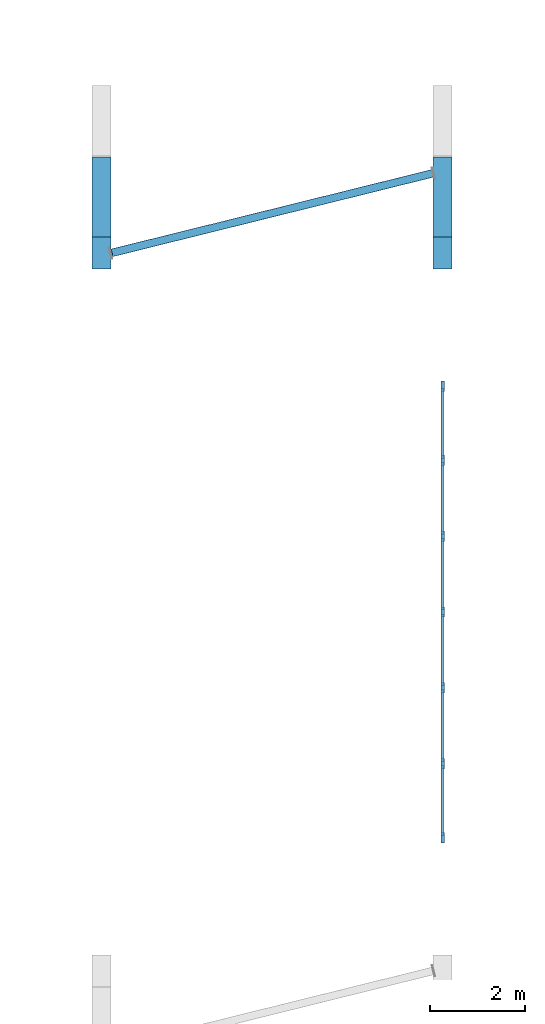
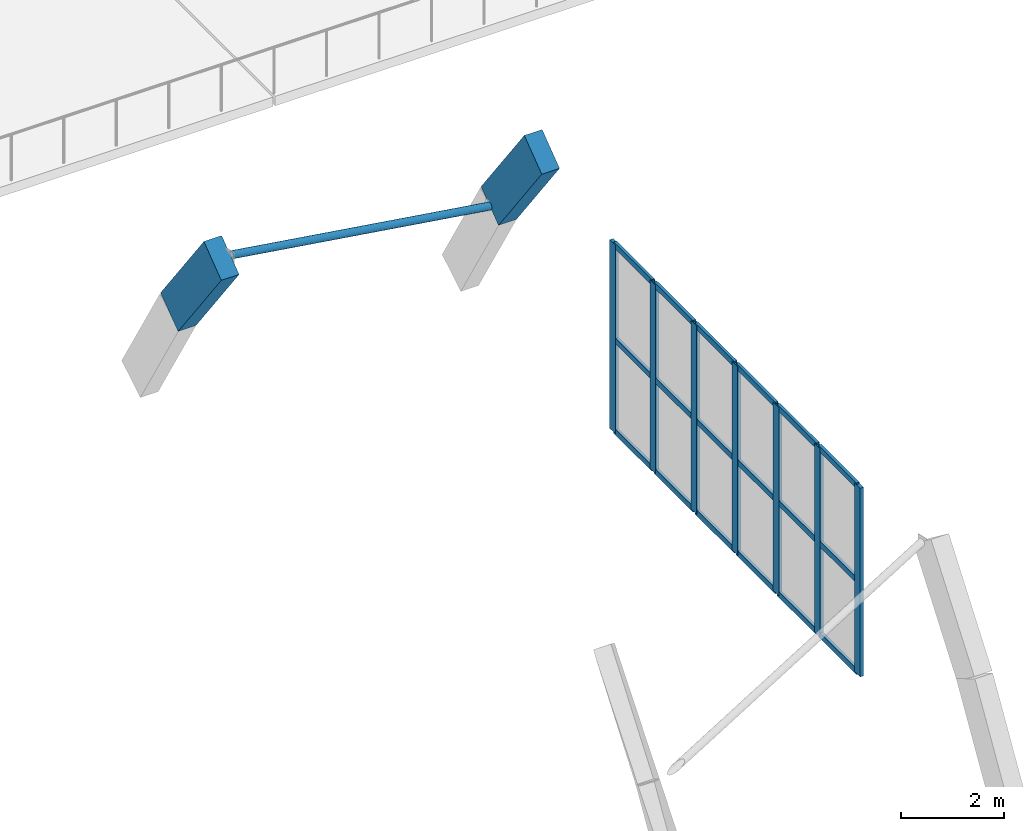
# One storey, part 25 of 85: 26 members, 2 beams, 1 element without a shape of its own.
"""IFC4 building model written with IfcOpenShell, lengths in metres."""

from ifc_helpers import new_model, si_unit, direction, frame, origin, origin_2d, place, context, subcontext, project, spatial, rectangle, hollow_circle, extrude, material, layer, layer_set, material_profile, profile_set, type_object, element, aggregate, save


model = new_model("IFC4")

# Units and contexts
model_context = context("Model", 3, precision=1e-05, world=origin(), true_north=direction((0.0, 1.0)))
body_context = subcontext(model_context, "Body", "Model", "MODEL_VIEW")
ifc_project = project(units=[si_unit("LENGTHUNIT", "METRE"), si_unit("AREAUNIT", "SQUARE_METRE"), si_unit("VOLUMEUNIT", "CUBIC_METRE"), si_unit("PLANEANGLEUNIT", "RADIAN"), si_unit("MASSUNIT", "GRAM", prefix="KILO")], contexts=[model_context])

# Site, building, storey
site_placement = place(None, origin())
site = spatial("IfcSite", under=ifc_project, at=site_placement, CompositionType="ELEMENT")
building_placement = place(site_placement, origin())
building = spatial("IfcBuilding", under=site, at=building_placement, Name="Ochrevale Crest", CompositionType="ELEMENT")
storey_placement = place(building_placement, frame((0.0, 0.0, 4.5)))
storey = spatial("IfcBuildingStorey", under=building, at=storey_placement, Name="L01", CompositionType="ELEMENT", Elevation=4.5)

# Beams
ifc_material_1 = material(Name="Precast concrete C50/60", Category="concrete")
ifc_material_profile_1 = material_profile(ifc_material_1, rectangle(XDim=0.39990234375, YDim=0.85009765625, at=origin_2d()), Name="PC 400x850")
ifc_profile_set_1 = profile_set([ifc_material_profile_1], Name="Precast concrete C50/60")
beam_type = type_object("IfcBeamType", Name="BM-AR400x850", PredefinedType="BEAM", material=ifc_profile_set_1)
for number, where, z_axis, x_axis, name in (
    (1, (100.800048828125, 61.57373046875, 5.012939453125), (0.0, 0.60146279032, -0.798900814783), (-1.0, 0.0, 0.0), "Precast vault arch rib AR-07 chord 9"),
    (2, (108.0, 61.57373046875, 5.012939453125), (0.0, 0.60146279032, -0.798900814783), (-1.0, 0.0, 0.0), "Precast vault arch rib AR-08 chord 9"),
):
    element("IfcBeam", number, at=place(storey_placement, frame(where, z_axis=z_axis, x_axis=x_axis)), inside=storey, type_object=beam_type, Name=name, PredefinedType="BEAM", context=body_context, shape_type="SweptSolid", body=[
        extrude(rectangle(XDim=0.39990234375, YDim=0.85009765625, at=origin_2d()), origin(), (0.0, 0.0, 1.0), 2.802001953125),
    ])

# Curtain wall, members
ifc_material_2 = material(Name="Anodised aluminium 6063-T5", Category="aluminium")
ifc_layer = layer(ifc_material_2, 0.14990234375)
ifc_layer_set = layer_set([ifc_layer], Name="Anodised aluminium 6063-T5")
curtain_wall_type = type_object("IfcCurtainWallType", Name="CW-HALL-960x430", PredefinedType="NOTDEFINED", material=ifc_layer_set)
curtain_wall_placement = place(storey_placement, origin())
curtain_wall = element("IfcCurtainWall", 3, at=curtain_wall_placement, inside=storey, type_object=curtain_wall_type, Name="Community Hall E barrel-vault glazed tympanum curtain wall", PredefinedType="NOTDEFINED")
ifc_material_profile_2 = material_profile(ifc_material_2, rectangle(XDim=0.074951171875, YDim=0.219970703125, at=origin_2d()), Name="ALU 75x220")
ifc_profile_set_2 = profile_set([ifc_material_profile_2], Name="Anodised aluminium 6063-T5")
member_type_1 = type_object("IfcMemberType", Name="CW-MUL-75x220", PredefinedType="MULLION", material=ifc_profile_set_2)
member_1_placement = place(storey_placement, frame((108.0, 49.237548828125, 0.10009765625), z_axis=(0.0, 0.0, 1.0), x_axis=(-1.0, 0.0, 0.0)))
member_1 = element("IfcMember", 4, at=member_1_placement, type_object=member_type_1, Name="CW21 mullion 1", PredefinedType="MULLION", context=body_context, shape_type="SweptSolid", body=[
    extrude(rectangle(XDim=0.074951171875, YDim=0.219970703125, at=origin_2d()), origin(), (0.0, 0.0, 1.0), 4.47998046875),
])
member_2_placement = place(storey_placement, frame((108.0, 50.800048828125, 0.10009765625), z_axis=(0.0, 0.0, 1.0), x_axis=(-1.0, 0.0, 0.0)))
member_2 = element("IfcMember", 5, at=member_2_placement, type_object=member_type_1, Name="CW21 mullion 2", PredefinedType="MULLION", context=body_context, shape_type="SweptSolid", body=[
    extrude(rectangle(XDim=0.074951171875, YDim=0.219970703125, at=origin_2d()), origin(), (0.0, 0.0, 1.0), 4.47998046875),
])
member_3_placement = place(storey_placement, frame((108.0, 52.39990234375, 0.10009765625), z_axis=(0.0, 0.0, 1.0), x_axis=(-1.0, 0.0, 0.0)))
member_3 = element("IfcMember", 6, at=member_3_placement, type_object=member_type_1, Name="CW21 mullion 3", PredefinedType="MULLION", context=body_context, shape_type="SweptSolid", body=[
    extrude(rectangle(XDim=0.074951171875, YDim=0.219970703125, at=origin_2d()), origin(), (0.0, 0.0, 1.0), 4.47998046875),
])
member_4_placement = place(storey_placement, frame((108.0, 54.0, 0.10009765625), z_axis=(0.0, 0.0, 1.0), x_axis=(-1.0, 0.0, 0.0)))
member_4 = element("IfcMember", 7, at=member_4_placement, type_object=member_type_1, Name="CW21 mullion 4", PredefinedType="MULLION", context=body_context, shape_type="SweptSolid", body=[
    extrude(rectangle(XDim=0.074951171875, YDim=0.219970703125, at=origin_2d()), origin(), (0.0, 0.0, 1.0), 4.47998046875),
])
member_5_placement = place(storey_placement, frame((108.0, 55.60009765625, 0.10009765625), z_axis=(0.0, 0.0, 1.0), x_axis=(-1.0, 0.0, 0.0)))
member_5 = element("IfcMember", 8, at=member_5_placement, type_object=member_type_1, Name="CW21 mullion 5", PredefinedType="MULLION", context=body_context, shape_type="SweptSolid", body=[
    extrude(rectangle(XDim=0.074951171875, YDim=0.219970703125, at=origin_2d()), origin(), (0.0, 0.0, 1.0), 4.47998046875),
])
member_6_placement = place(storey_placement, frame((108.0, 57.199951171875, 0.10009765625), z_axis=(0.0, 0.0, 1.0), x_axis=(-1.0, 0.0, 0.0)))
member_6 = element("IfcMember", 9, at=member_6_placement, type_object=member_type_1, Name="CW21 mullion 6", PredefinedType="MULLION", context=body_context, shape_type="SweptSolid", body=[
    extrude(rectangle(XDim=0.074951171875, YDim=0.219970703125, at=origin_2d()), origin(), (0.0, 0.0, 1.0), 4.47998046875),
])
member_7_placement = place(storey_placement, frame((108.0, 58.762451171875, 0.10009765625), z_axis=(0.0, 0.0, 1.0), x_axis=(-1.0, 0.0, 0.0)))
member_7 = element("IfcMember", 10, at=member_7_placement, type_object=member_type_1, Name="CW21 mullion 7", PredefinedType="MULLION", context=body_context, shape_type="SweptSolid", body=[
    extrude(rectangle(XDim=0.074951171875, YDim=0.219970703125, at=origin_2d()), origin(), (0.0, 0.0, 1.0), 4.47998046875),
])
ifc_material_profile_3 = material_profile(ifc_material_2, rectangle(XDim=0.06494140625, YDim=0.135009765625, at=origin_2d()), Name="ALU 65x135")
ifc_profile_set_3 = profile_set([ifc_material_profile_3], Name="Anodised aluminium 6063-T5")
member_type_2 = type_object("IfcMemberType", Name="CW-TRN-65x135", PredefinedType="USERDEFINED", material=ifc_profile_set_3)
member_8_placement = place(storey_placement, frame((108.0, 49.27490234375, 0.132568359375), z_axis=(0.0, 1.0, 0.0), x_axis=(-1.0, 0.0, 0.0)))
member_8 = element("IfcMember", 11, at=member_8_placement, type_object=member_type_2, Name="CW21 transom 1.1", ObjectType="TRANSOM", PredefinedType="USERDEFINED", context=body_context, shape_type="SweptSolid", body=[
    extrude(rectangle(XDim=0.06494140625, YDim=0.135009765625, at=origin_2d()), origin(), (0.0, 0.0, 1.0), 1.487548828125),
])
member_9_placement = place(storey_placement, frame((108.0, 49.27490234375, 2.300048828125), z_axis=(0.0, 1.0, 0.0), x_axis=(-1.0, 0.0, 0.0)))
member_9 = element("IfcMember", 12, at=member_9_placement, type_object=member_type_2, Name="CW21 transom 1.2", ObjectType="TRANSOM", PredefinedType="USERDEFINED", context=body_context, shape_type="SweptSolid", body=[
    extrude(rectangle(XDim=0.06494140625, YDim=0.135009765625, at=origin_2d()), origin(), (0.0, 0.0, 1.0), 1.487548828125),
])
member_10_placement = place(storey_placement, frame((108.0, 49.27490234375, 4.547607421875), z_axis=(0.0, 1.0, 0.0), x_axis=(-1.0, 0.0, 0.0)))
member_10 = element("IfcMember", 13, at=member_10_placement, type_object=member_type_2, Name="CW21 transom 1.3", ObjectType="TRANSOM", PredefinedType="USERDEFINED", context=body_context, shape_type="SweptSolid", body=[
    extrude(rectangle(XDim=0.06494140625, YDim=0.135009765625, at=origin_2d()), origin(), (0.0, 0.0, 1.0), 1.487548828125),
])
member_11_placement = place(storey_placement, frame((108.0, 50.83740234375, 0.132568359375), z_axis=(0.0, 1.0, 0.0), x_axis=(-1.0, 0.0, 0.0)))
member_11 = element("IfcMember", 14, at=member_11_placement, type_object=member_type_2, Name="CW21 transom 2.1", ObjectType="TRANSOM", PredefinedType="USERDEFINED", context=body_context, shape_type="SweptSolid", body=[
    extrude(rectangle(XDim=0.06494140625, YDim=0.135009765625, at=origin_2d()), origin(), (0.0, 0.0, 1.0), 1.525146484375),
])
member_12_placement = place(storey_placement, frame((108.0, 50.83740234375, 2.300048828125), z_axis=(0.0, 1.0, 0.0), x_axis=(-1.0, 0.0, 0.0)))
member_12 = element("IfcMember", 15, at=member_12_placement, type_object=member_type_2, Name="CW21 transom 2.2", ObjectType="TRANSOM", PredefinedType="USERDEFINED", context=body_context, shape_type="SweptSolid", body=[
    extrude(rectangle(XDim=0.06494140625, YDim=0.135009765625, at=origin_2d()), origin(), (0.0, 0.0, 1.0), 1.525146484375),
])
member_13_placement = place(storey_placement, frame((108.0, 50.83740234375, 4.547607421875), z_axis=(0.0, 1.0, 0.0), x_axis=(-1.0, 0.0, 0.0)))
member_13 = element("IfcMember", 16, at=member_13_placement, type_object=member_type_2, Name="CW21 transom 2.3", ObjectType="TRANSOM", PredefinedType="USERDEFINED", context=body_context, shape_type="SweptSolid", body=[
    extrude(rectangle(XDim=0.06494140625, YDim=0.135009765625, at=origin_2d()), origin(), (0.0, 0.0, 1.0), 1.525146484375),
])
member_14_placement = place(storey_placement, frame((108.0, 52.4375, 0.132568359375), z_axis=(0.0, 1.0, 0.0), x_axis=(-1.0, 0.0, 0.0)))
member_14 = element("IfcMember", 17, at=member_14_placement, type_object=member_type_2, Name="CW21 transom 3.1", ObjectType="TRANSOM", PredefinedType="USERDEFINED", context=body_context, shape_type="SweptSolid", body=[
    extrude(rectangle(XDim=0.06494140625, YDim=0.135009765625, at=origin_2d()), origin(), (0.0, 0.0, 1.0), 1.52490234375),
])
member_15_placement = place(storey_placement, frame((108.0, 52.4375, 2.300048828125), z_axis=(0.0, 1.0, 0.0), x_axis=(-1.0, 0.0, 0.0)))
member_15 = element("IfcMember", 18, at=member_15_placement, type_object=member_type_2, Name="CW21 transom 3.2", ObjectType="TRANSOM", PredefinedType="USERDEFINED", context=body_context, shape_type="SweptSolid", body=[
    extrude(rectangle(XDim=0.06494140625, YDim=0.135009765625, at=origin_2d()), origin(), (0.0, 0.0, 1.0), 1.52490234375),
])
member_16_placement = place(storey_placement, frame((108.0, 52.4375, 4.547607421875), z_axis=(0.0, 1.0, 0.0), x_axis=(-1.0, 0.0, 0.0)))
member_16 = element("IfcMember", 19, at=member_16_placement, type_object=member_type_2, Name="CW21 transom 3.3", ObjectType="TRANSOM", PredefinedType="USERDEFINED", context=body_context, shape_type="SweptSolid", body=[
    extrude(rectangle(XDim=0.06494140625, YDim=0.135009765625, at=origin_2d()), origin(), (0.0, 0.0, 1.0), 1.52490234375),
])
member_17_placement = place(storey_placement, frame((108.0, 54.03759765625, 0.132568359375), z_axis=(0.0, 1.0, 0.0), x_axis=(-1.0, 0.0, 0.0)))
member_17 = element("IfcMember", 20, at=member_17_placement, type_object=member_type_2, Name="CW21 transom 4.1", ObjectType="TRANSOM", PredefinedType="USERDEFINED", context=body_context, shape_type="SweptSolid", body=[
    extrude(rectangle(XDim=0.06494140625, YDim=0.135009765625, at=origin_2d()), origin(), (0.0, 0.0, 1.0), 1.52490234375),
])
member_18_placement = place(storey_placement, frame((108.0, 54.03759765625, 2.300048828125), z_axis=(0.0, 1.0, 0.0), x_axis=(-1.0, 0.0, 0.0)))
member_18 = element("IfcMember", 21, at=member_18_placement, type_object=member_type_2, Name="CW21 transom 4.2", ObjectType="TRANSOM", PredefinedType="USERDEFINED", context=body_context, shape_type="SweptSolid", body=[
    extrude(rectangle(XDim=0.06494140625, YDim=0.135009765625, at=origin_2d()), origin(), (0.0, 0.0, 1.0), 1.52490234375),
])
member_19_placement = place(storey_placement, frame((108.0, 54.03759765625, 4.547607421875), z_axis=(0.0, 1.0, 0.0), x_axis=(-1.0, 0.0, 0.0)))
member_19 = element("IfcMember", 22, at=member_19_placement, type_object=member_type_2, Name="CW21 transom 4.3", ObjectType="TRANSOM", PredefinedType="USERDEFINED", context=body_context, shape_type="SweptSolid", body=[
    extrude(rectangle(XDim=0.06494140625, YDim=0.135009765625, at=origin_2d()), origin(), (0.0, 0.0, 1.0), 1.52490234375),
])
member_20_placement = place(storey_placement, frame((108.0, 55.637451171875, 0.132568359375), z_axis=(0.0, 1.0, 0.0), x_axis=(-1.0, 0.0, 0.0)))
member_20 = element("IfcMember", 23, at=member_20_placement, type_object=member_type_2, Name="CW21 transom 5.1", ObjectType="TRANSOM", PredefinedType="USERDEFINED", context=body_context, shape_type="SweptSolid", body=[
    extrude(rectangle(XDim=0.06494140625, YDim=0.135009765625, at=origin_2d()), origin(), (0.0, 0.0, 1.0), 1.525146484375),
])
member_21_placement = place(storey_placement, frame((108.0, 55.637451171875, 2.300048828125), z_axis=(0.0, 1.0, 0.0), x_axis=(-1.0, 0.0, 0.0)))
member_21 = element("IfcMember", 24, at=member_21_placement, type_object=member_type_2, Name="CW21 transom 5.2", ObjectType="TRANSOM", PredefinedType="USERDEFINED", context=body_context, shape_type="SweptSolid", body=[
    extrude(rectangle(XDim=0.06494140625, YDim=0.135009765625, at=origin_2d()), origin(), (0.0, 0.0, 1.0), 1.525146484375),
])
member_22_placement = place(storey_placement, frame((108.0, 55.637451171875, 4.547607421875), z_axis=(0.0, 1.0, 0.0), x_axis=(-1.0, 0.0, 0.0)))
member_22 = element("IfcMember", 25, at=member_22_placement, type_object=member_type_2, Name="CW21 transom 5.3", ObjectType="TRANSOM", PredefinedType="USERDEFINED", context=body_context, shape_type="SweptSolid", body=[
    extrude(rectangle(XDim=0.06494140625, YDim=0.135009765625, at=origin_2d()), origin(), (0.0, 0.0, 1.0), 1.525146484375),
])
member_23_placement = place(storey_placement, frame((108.0, 57.237548828125, 0.132568359375), z_axis=(0.0, 1.0, 0.0), x_axis=(-1.0, 0.0, 0.0)))
member_23 = element("IfcMember", 26, at=member_23_placement, type_object=member_type_2, Name="CW21 transom 6.1", ObjectType="TRANSOM", PredefinedType="USERDEFINED", context=body_context, shape_type="SweptSolid", body=[
    extrude(rectangle(XDim=0.06494140625, YDim=0.135009765625, at=origin_2d()), origin(), (0.0, 0.0, 1.0), 1.487548828125),
])
member_24_placement = place(storey_placement, frame((108.0, 57.237548828125, 2.300048828125), z_axis=(0.0, 1.0, 0.0), x_axis=(-1.0, 0.0, 0.0)))
member_24 = element("IfcMember", 27, at=member_24_placement, type_object=member_type_2, Name="CW21 transom 6.2", ObjectType="TRANSOM", PredefinedType="USERDEFINED", context=body_context, shape_type="SweptSolid", body=[
    extrude(rectangle(XDim=0.06494140625, YDim=0.135009765625, at=origin_2d()), origin(), (0.0, 0.0, 1.0), 1.487548828125),
])
member_25_placement = place(storey_placement, frame((108.0, 57.237548828125, 4.547607421875), z_axis=(0.0, 1.0, 0.0), x_axis=(-1.0, 0.0, 0.0)))
member_25 = element("IfcMember", 28, at=member_25_placement, type_object=member_type_2, Name="CW21 transom 6.3", ObjectType="TRANSOM", PredefinedType="USERDEFINED", context=body_context, shape_type="SweptSolid", body=[
    extrude(rectangle(XDim=0.06494140625, YDim=0.135009765625, at=origin_2d()), origin(), (0.0, 0.0, 1.0), 1.487548828125),
])
aggregate(curtain_wall, [member_1, member_2, member_3, member_4, member_5, member_6, member_7, member_8, member_9, member_10, member_11, member_12, member_13, member_14, member_15, member_16, member_17, member_18, member_19, member_20, member_21, member_22, member_23, member_24, member_25])

# Member
ifc_material_3 = material(Name="Steel S355", Category="steel")
ifc_material_profile_4 = material_profile(ifc_material_3, hollow_circle(Radius=0.084228515625, WallThickness=0.00634765625, at=origin_2d()), Name="168.3x6.4CHS")
ifc_profile_set_4 = profile_set([ifc_material_profile_4], Name="Steel S355")
member_type_3 = type_object("IfcMemberType", Name="MEM-CHS168-BR", PredefinedType="BRACE", material=ifc_profile_set_4)
member_26_placement = place(storey_placement, frame((101.0, 61.57373046875, 5.012939453125), z_axis=(0.924582973911, 0.229145739019, -0.30436582371), x_axis=(-0.24055900848, 0.970634515891, 0.0)))
element("IfcMember", 29, at=member_26_placement, inside=storey, type_object=member_type_3, Name="Community Hall vault CHS lateral brace B7-8", PredefinedType="BRACE", context=body_context, shape_type="SweptSolid", body=[
    extrude(hollow_circle(Radius=0.084228515625, WallThickness=0.00634765625, at=origin_2d()), origin(), (0.0, 0.0, 1.0), 7.354736328125),
])

save(model, "model.ifc")
